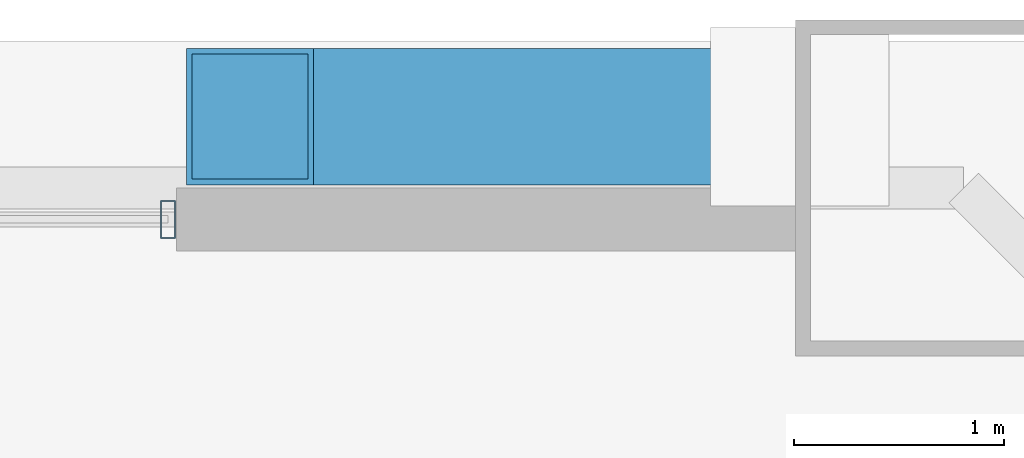
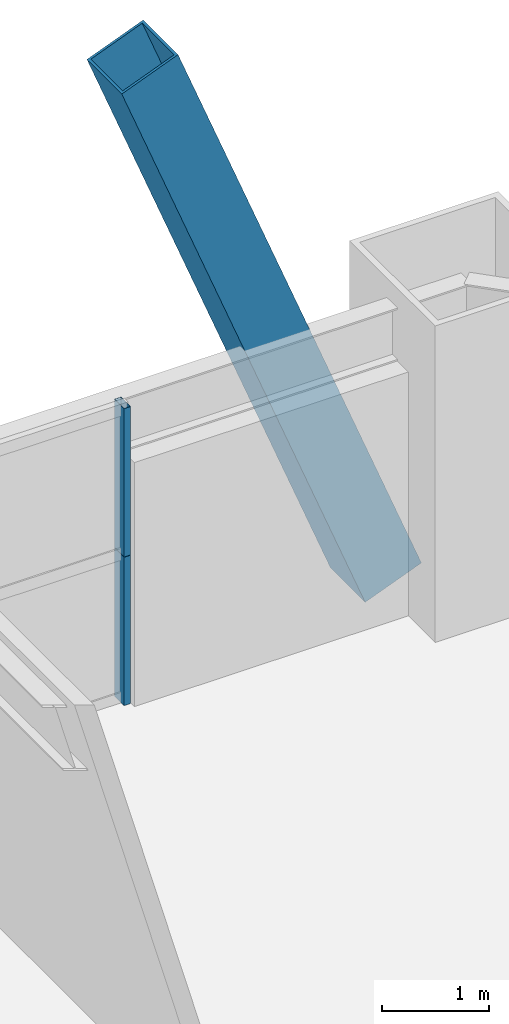
# One storey, part 37 of 43: 3 members, 1 element without a shape of its own.
"""IFC4 building model written with IfcOpenShell, lengths in metres."""

from ifc_helpers import new_model, si_unit, direction, frame, origin, origin_2d, place, context, subcontext, project, spatial, hollow_rectangle, extrude, source, transform, mapped, material, layer, layer_set, material_profile, profile_set, type_object, element, aggregate, save


model = new_model("IFC4")

# Units and contexts
model_context = context("Model", 3, precision=1e-05, world=origin(), true_north=direction((0.0, 1.0)))
body_context = subcontext(model_context, "Body", "Model", "MODEL_VIEW")
ifc_project = project(units=[si_unit("LENGTHUNIT", "METRE"), si_unit("AREAUNIT", "SQUARE_METRE"), si_unit("VOLUMEUNIT", "CUBIC_METRE"), si_unit("PLANEANGLEUNIT", "RADIAN"), si_unit("MASSUNIT", "GRAM", prefix="KILO"), si_unit("THERMODYNAMICTEMPERATUREUNIT", "KELVIN"), si_unit("POWERUNIT", "WATT")], contexts=[model_context])

# Site, building, storey
site_placement = place(None, origin())
site = spatial("IfcSite", under=ifc_project, at=site_placement, CompositionType="ELEMENT")
building_placement = place(site_placement, origin())
building = spatial("IfcBuilding", under=site, at=building_placement, Name="Yuzanri Waterfront Tower", CompositionType="ELEMENT")
storey_placement = place(building_placement, frame((0.0, 0.0, 138.0)))
storey = spatial("IfcBuildingStorey", under=building, at=storey_placement, Name="L36", CompositionType="ELEMENT", Elevation=138.0)

# Member
ifc_material_1 = material(Name="Steel Q420GJC", Category="steel")
ifc_material_profile_1 = material_profile(ifc_material_1, hollow_rectangle(XDim=0.64990234375, YDim=0.64990234375, WallThickness=0.028076171875, at=origin_2d()), Name="RHS 650x650x28")
ifc_profile_set_1 = profile_set([ifc_material_profile_1], Name="Steel Q420GJC")
member_type_1 = type_object("IfcMemberType", Name="Mega Brace Lower Q420GJC RHS 650x650x28", PredefinedType="BRACE", material=ifc_profile_set_1)
shared_shape_1 = source(origin(), body_context, "Body", "SweptSolid", [
    extrude(hollow_rectangle(XDim=0.64990234375, YDim=0.64990234375, WallThickness=0.028076171875, at=origin_2d()), origin(), (0.0, 0.0, 1.0), 7.19384765625),
])
member_1_placement = place(storey_placement, frame((56.219970703125, 49.739990234375, 0.179931640625), z_axis=(-0.36417668996, 0.0, 0.9313298763), x_axis=(0.0, -1.0, 0.0)))
element("IfcMember", 1, at=member_1_placement, inside=storey, type_object=member_type_1, Name="L36-L37 Perimeter Mega-Brace N-R", PredefinedType="BRACE", context=body_context, shape_type="MappedRepresentation", body=[
    mapped(shared_shape_1, transform((0.0, 0.0, 0.0), scale=1.0)),
])

# Curtain wall, members
ifc_material_2 = material(Name="Anodized Architectural Bronze", Category="metal")
ifc_layer = layer(ifc_material_2, 0.159912109375)
ifc_layer_set = layer_set([ifc_layer], Name="Anodized Architectural Bronze")
curtain_wall_type = type_object("IfcCurtainWallType", Name="Anodized Bronze Hotel Upper-Tier Solar-Control Unitized Curtain Wall 7800", PredefinedType="NOTDEFINED", material=ifc_layer_set)
curtain_wall_placement = place(storey_placement, origin())
curtain_wall = element("IfcCurtainWall", 2, at=curtain_wall_placement, inside=storey, type_object=curtain_wall_type, Name="L36 Curtain Wall CW-L36-NR", PredefinedType="NOTDEFINED")
ifc_material_3 = material(Name="Anodized Architectural Bronze", Category="metal")
ifc_material_profile_2 = material_profile(ifc_material_3, hollow_rectangle(XDim=0.070068359375, YDim=0.179931640625, WallThickness=0.00390625, at=origin_2d()), Name="CWM 70x180")
ifc_profile_set_2 = profile_set([ifc_material_profile_2], Name="Anodized Architectural Bronze")
member_type_2 = type_object("IfcMemberType", Name="Anodized Bronze Standard Curtain-Wall Mullion 70x180", PredefinedType="MULLION", material=ifc_profile_set_2)
shared_shape_2 = source(origin(), body_context, "Body", "SweptSolid", [
    extrude(hollow_rectangle(XDim=0.070068359375, YDim=0.179931640625, WallThickness=0.00390625, at=origin_2d()), origin(), (0.0, 0.0, 1.0), 1.68798828125),
])
member_2_placement = place(storey_placement, frame((53.2099609375, 49.25, 0.0), z_axis=(0.0, 0.0, 1.0), x_axis=(1.0, 0.0, 0.0)))
member_2 = element("IfcMember", 3, at=member_2_placement, type_object=member_type_2, Name="CW-L36-NR Lower Mullion 02", PredefinedType="MULLION", context=body_context, shape_type="MappedRepresentation", body=[
    mapped(shared_shape_2, transform((0.0, 0.0, 0.0), scale=1.0)),
])
member_3_placement = place(storey_placement, frame((53.2099609375, 49.25, 1.69189453125), z_axis=(0.0, 0.0, 1.0), x_axis=(1.0, 0.0, 0.0)))
member_3 = element("IfcMember", 4, at=member_3_placement, type_object=member_type_2, Name="CW-L36-NR Upper Mullion 02", PredefinedType="MULLION", context=body_context, shape_type="MappedRepresentation", body=[
    mapped(shared_shape_2, transform((0.0, 0.0, 0.0), scale=1.0)),
])
aggregate(curtain_wall, [member_2, member_3])

save(model, "model.ifc")
